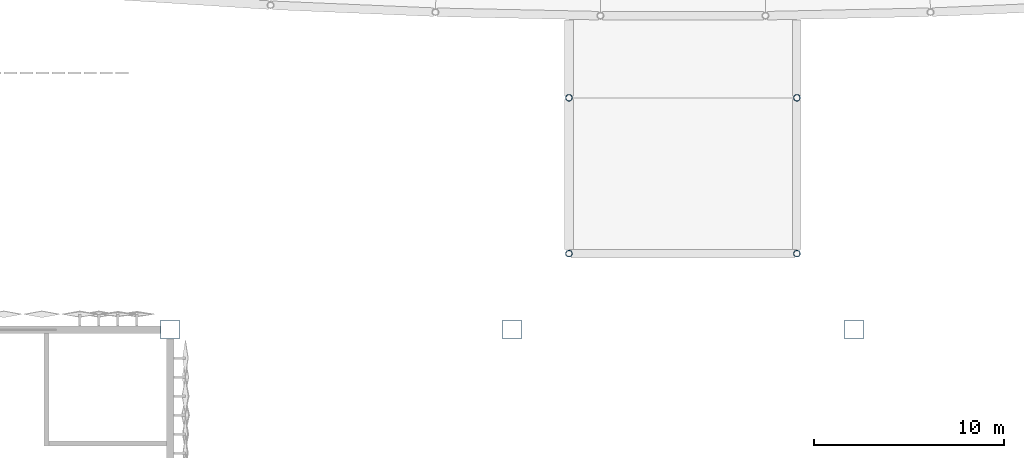
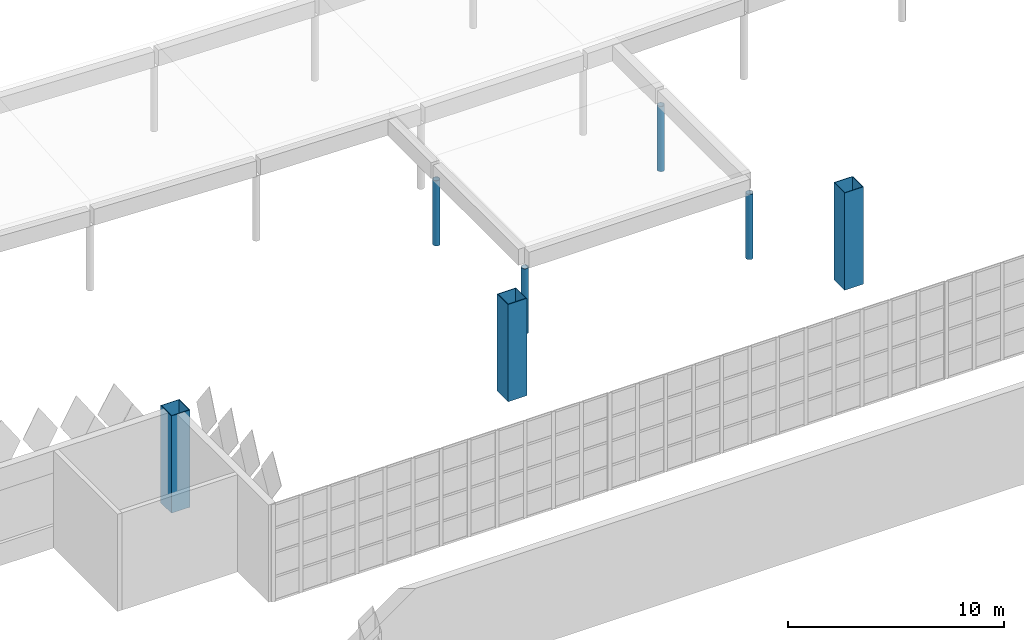
# One storey, part 9 of 185: 7 columns.
"""IFC4 building model written with IfcOpenShell, lengths in metres."""

from ifc_helpers import new_model, si_unit, direction, frame, origin, origin_2d, place, context, subcontext, project, spatial, hollow_rectangle, hollow_circle, extrude, material, material_profile, profile_set, type_object, element, save


model = new_model("IFC4")

# Units and contexts
model_context = context("Model", 3, precision=1e-05, world=origin(), true_north=direction((0.0, 1.0)))
body_context = subcontext(model_context, "Body", "Model", "MODEL_VIEW")
ifc_project = project(units=[si_unit("LENGTHUNIT", "METRE"), si_unit("AREAUNIT", "SQUARE_METRE"), si_unit("VOLUMEUNIT", "CUBIC_METRE"), si_unit("PLANEANGLEUNIT", "RADIAN"), si_unit("MASSUNIT", "GRAM", prefix="KILO")], contexts=[model_context])

# Site, building, storey
site_placement = place(None, origin())
site = spatial("IfcSite", under=ifc_project, at=site_placement, CompositionType="ELEMENT")
building_placement = place(site_placement, origin())
building = spatial("IfcBuilding", under=site, at=building_placement, Name="Opaline Strait Convention Centre", CompositionType="ELEMENT")
storey_placement = place(building_placement, frame((0.0, 0.0, 6.0)))
storey = spatial("IfcBuildingStorey", under=building, at=storey_placement, Name="L01", CompositionType="ELEMENT", Elevation=6.0)

# Columns
ifc_material = material(Name="Steel Q355B", Category="steel")
ifc_material_profile_1 = material_profile(ifc_material, hollow_circle(Radius=0.175537109375, WallThickness=0.01611328125, at=origin_2d()), Name="CHS 351x16")
ifc_profile_set_1 = profile_set([ifc_material_profile_1], Name="Steel Q355B")
column_type_1 = type_object("IfcColumnType", Name="Arcade column CHS 351x16", PredefinedType="COLUMN", material=ifc_profile_set_1)
for number, where, z_axis, x_axis, name in (
    (1, (174.0, 157.0, 0.0), (0.0, 0.0, 1.0), (1.0, 0.0, 0.0), "Arcade walk column SC-WW1"),
    (2, (174.0, 165.199951171875, 0.0), (0.0, 0.0, 1.0), (1.0, 0.0, 0.0), "Arcade walk column SC-WW2"),
    (3, (186.0, 157.0, 0.0), (0.0, 0.0, 1.0), (1.0, 0.0, 0.0), "Arcade walk column SC-WE1"),
    (4, (186.0, 165.199951171875, 0.0), (0.0, 0.0, 1.0), (1.0, 0.0, 0.0), "Arcade walk column SC-WE2"),
):
    element("IfcColumn", number, at=place(storey_placement, frame(where, z_axis=z_axis, x_axis=x_axis)), inside=storey, type_object=column_type_1, Name=name, ObjectType="SCC1", PredefinedType="COLUMN", context=body_context, shape_type="SweptSolid", body=[
        extrude(hollow_circle(Radius=0.175537109375, WallThickness=0.01611328125, at=origin_2d()), origin(), (0.0, 0.0, 1.0), 3.68505859375),
    ])
ifc_material_profile_2 = material_profile(ifc_material, hollow_rectangle(XDim=1.0, YDim=1.0, WallThickness=0.031982421875, at=origin_2d()), Name="BOX 1000x1000x32")
ifc_profile_set_2 = profile_set([ifc_material_profile_2], Name="Steel Q355B")
column_type_2 = type_object("IfcColumnType", Name="CFT column BOX 1000x1000x32 C60 fill", PredefinedType="COLUMN", material=ifc_profile_set_2)
for number, where, z_axis, x_axis, name in (
    (5, (153.0, 153.0, 0.0), (0.0, 0.0, 1.0), (1.0, 0.0, 0.0), "Roof column XC-13"),
    (6, (171.0, 153.0, 0.0), (0.0, 0.0, 1.0), (1.0, 0.0, 0.0), "Roof column XC-15"),
    (7, (189.0, 153.0, 0.0), (0.0, 0.0, 1.0), (1.0, 0.0, 0.0), "Roof column XC-17"),
):
    element("IfcColumn", number, at=place(storey_placement, frame(where, z_axis=z_axis, x_axis=x_axis)), inside=storey, type_object=column_type_2, Name=name, ObjectType="XC1", PredefinedType="COLUMN", context=body_context, shape_type="SweptSolid", body=[
        extrude(hollow_rectangle(XDim=1.0, YDim=1.0, WallThickness=0.031982421875, at=origin_2d()), origin(), (0.0, 0.0, 1.0), 5.5),
    ])

save(model, "model.ifc")
